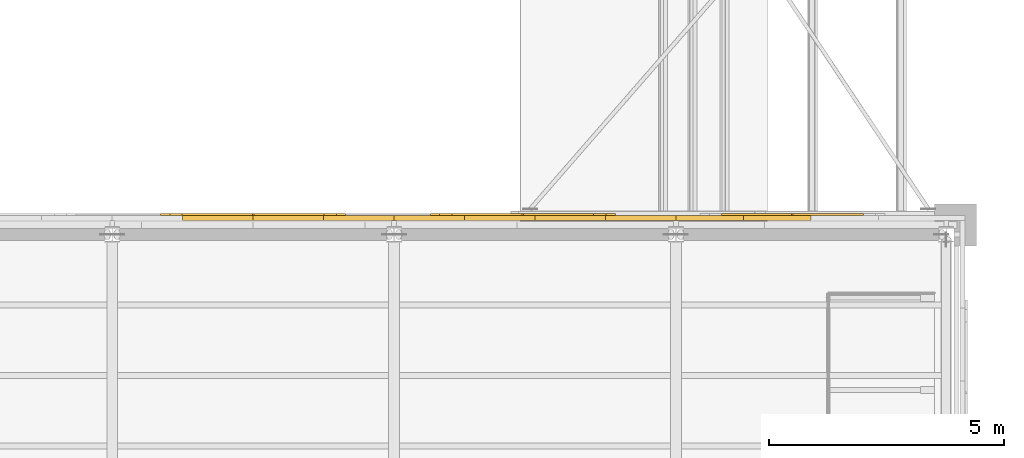
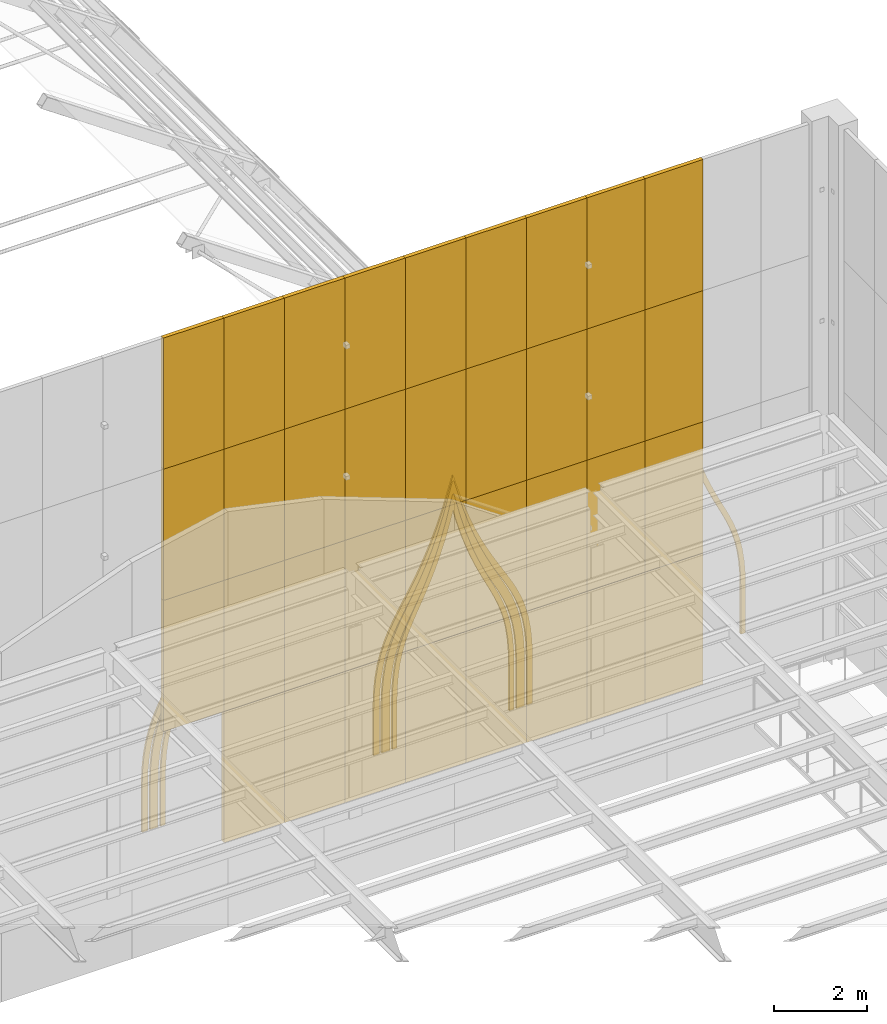
# One storey, part 42 of 43: 42 coverings.
"""IFC4 building model written with IfcOpenShell, lengths in metres."""

from ifc_helpers import new_model, si_unit, direction, frame, origin, origin_2d, place, context, subcontext, project, spatial, polyline, rectangle, outline, extrude, material, layer, layer_set, type_object, element, save


model = new_model("IFC4")

# Units and contexts
model_context = context("Model", 3, precision=1e-05, world=origin(), true_north=direction((0.0, 1.0)))
body_context = subcontext(model_context, "Body", "Model", "MODEL_VIEW")
ifc_project = project(units=[si_unit("LENGTHUNIT", "METRE"), si_unit("AREAUNIT", "SQUARE_METRE"), si_unit("VOLUMEUNIT", "CUBIC_METRE"), si_unit("PLANEANGLEUNIT", "RADIAN"), si_unit("MASSUNIT", "GRAM", prefix="KILO")], contexts=[model_context])

# Site, building, storey
site_placement = place(None, origin())
site = spatial("IfcSite", under=ifc_project, at=site_placement, CompositionType="ELEMENT")
building_placement = place(site_placement, origin())
building = spatial("IfcBuilding", under=site, at=building_placement, Name="Saffron Lane Theatres", CompositionType="ELEMENT")
storey_placement = place(building_placement, frame((0.0, 0.0, 23.0)))
storey = spatial("IfcBuildingStorey", under=building, at=storey_placement, Name="Roof", CompositionType="ELEMENT", Elevation=23.0)

# Coverings
ifc_material_1 = material(Name="Masonry sandstone", Category="masonry")
ifc_layer_1 = layer(ifc_material_1, 0.050048828125)
ifc_layer_set_1 = layer_set([ifc_layer_1], Name="Masonry sandstone")
covering_type_1 = type_object("IfcCoveringType", Name="EX-ARCH FRAME RING SANDSTONE 50", PredefinedType="CLADDING", material=ifc_layer_set_1)
covering_1_placement = place(storey_placement, frame((31.4990234375, 54.64990234375, 2.5810546875), z_axis=(0.0, -1.0, 0.0), x_axis=(-0.023756941085, 0.0, -0.999717764047)))
element("IfcCovering", 1, at=covering_1_placement, inside=storey, type_object=covering_type_1, Name="Tower arch recess ring", PredefinedType="CLADDING", context=body_context, shape_type="SweptSolid", body=[
    extrude(outline(polyline([(0.0, 0.0), (0.38023426890641177, 0.0), (1.5808230582972993, 0.028530369433181012), (1.5779694413505367, 0.14861365554424355), (0.3793332257175527, 0.12012968638661965), (0.0032539760811303733, 0.1199842152524406), (-0.32637530581117835, 0.13828144283302546), (-0.6163538279053677, 0.17339453784549674), (-0.8754217718364463, 0.223162125291944), (-1.1121042476919079, 0.2866489888075911), (-1.3349147654903566, 0.3624317685881858), (-1.550146989634977, 0.4481630182605264), (-1.7663318302477076, 0.5431515931795744), (-1.9907856388862415, 0.6469794205922529), (-2.231510581991929, 0.7572584538842472), (-2.4952710673040963, 0.8708974314542522), (-2.79112674862527, 0.9889021106265061), (-3.1241045314843876, 1.1070014714421268), (-3.503019997964239, 1.2262070712597966), (-3.934846827317219, 1.341957418125338), (-4.195372931259218, 1.4017029459088173), (-3.9379788459173244, 1.4737561467838212), (-3.5121376521112118, 1.6098878146878255), (-3.139312221798232, 1.7469575205949843), (-2.812320074485982, 1.8807401745489096), (-2.522403628436119, 2.012664936388298), (-2.264338776948588, 2.138704387600942), (-2.0291238665653077, 2.2602934880599834), (-1.8098552887202812, 2.374665778093016), (-1.5984264763521552, 2.479816013359072), (-1.3875094778343462, 2.5756741231717535), (-1.168550182907138, 2.661954965297145), (-0.9351505265473425, 2.7366126951531675), (-0.6787389983919088, 2.7986299553466933), (-0.3907556881466753, 2.84747753192407), (-0.062367613625519354, 2.881411652367403), (0.3132940335308889, 2.899130287322713), (1.5119302491638729, 2.927614256480337), (1.5090766322171103, 3.0476975425913997), (0.3084878428262229, 3.0191671731582184), (-0.07131722353128557, 3.0011058658976117), (-0.40652190610176964, 2.9662771293306154), (-0.7025305829261318, 2.9160177930178754), (-0.9679263644363119, 2.8518333577919948), (-1.2093339872719022, 2.775031653041396), (-1.4341046031972635, 2.6866590363314287), (-1.6498508357998292, 2.588488280352214), (-1.8644061802489915, 2.4813100708804736), (-2.0836805581284623, 2.367181852567179), (-2.3179423817705693, 2.246592239124868), (-2.5740488594657522, 2.120355116468043), (-2.8591592715686374, 1.9917192876741407), (-3.182025399783121, 1.859011521184726), (-3.550992082855851, 1.7239871895865848), (-3.9717309706852455, 1.5889536092848697), (-4.6197083107173516, 1.4077370195811822), (-4.618942706170659, 1.3755195525757753), (-3.963088919362733, 1.225286746875351), (-3.536410796262028, 1.110390886165424), (-3.1614468775735407, 0.9930450595545434), (-2.832670514259969, 0.8770437436310055), (-2.5417426676091113, 0.7608756375277622), (-2.2799289560204032, 0.646946187962462), (-2.040203499931446, 0.5376202414116408), (-1.8157554913273564, 0.43403648571870035), (-1.5963513180824758, 0.33717073748952914), (-1.3761854592330949, 0.24935884302844), (-1.1474708198853787, 0.1717626903166131), (-0.9026875770030083, 0.10651465417973567), (-0.6345425791660692, 0.05500909424983662), (-0.33648069014830473, 0.01886704177534876), (0.0, 0.0)])), origin(), (0.0, 0.0, -1.0), 0.050048828125),
])
covering_2_placement = place(storey_placement, frame((31.240966796875, 54.64990234375, 2.60107421875), z_axis=(0.0, -1.0, 0.0), x_axis=(-0.027445423218, 0.0, -0.999623303422)))
element("IfcCovering", 2, at=covering_2_placement, inside=storey, type_object=covering_type_1, Name="Tower arch recess ring", PredefinedType="CLADDING", context=body_context, shape_type="SweptSolid", body=[
    extrude(outline(polyline([(0.0, 0.0), (0.4002972749886543, 0.0), (1.60077262399574, 0.03295996992392853), (1.5952848794607335, 0.23283582087672447), (0.39676191971814384, 0.19992945529501824), (0.005521247248895529, 0.1992011807455482), (-0.3350186515351066, 0.21989201014049903), (-0.6362744592205554, 0.25973462870481856), (-0.9050192333481872, 0.3163449833181706), (-1.1499851212660126, 0.3875294651760587), (-1.3804526725231665, 0.473277502310989), (-1.604171139292633, 0.5711782394315141), (-1.8304143705807694, 0.6809770559120782), (-2.0656912736419164, 0.7995644532009369), (-2.31924889531132, 0.9257096160402862), (-2.596917601211358, 1.0582755367712111), (-2.907850630578386, 1.1926147189230394), (-3.2586775004367463, 1.3300105397891429), (-3.657581955933325, 1.4660863537280224), (-4.111370557322747, 1.5996783509096524), (-4.280569238825531, 1.642169768484506), (-4.113956966834973, 1.6938811329215928), (-3.668182214607782, 1.852171330782141), (-3.2773452126156575, 2.0099301011499358), (-2.9345857962617514, 2.166368864590507), (-2.6315259046586217, 2.3187868556615543), (-2.361515919153593, 2.4651685510955206), (-2.1152618891119763, 2.605036425543775), (-1.8868463418552817, 2.7363548541104272), (-1.666968626206042, 2.8584022627887835), (-1.4489590218832489, 2.968430982337101), (-1.2235436798805455, 3.0666956333809354), (-0.9828527382549475, 3.151214195366617), (-0.7176190485428754, 3.2224853375777642), (-0.4190032547118743, 3.2787978902898818), (-0.08011168945120746, 3.318143030778188), (0.31057953851026243, 3.338883295288744), (1.509102498252852, 3.37178966087045), (1.5036147537178453, 3.571665511823246), (0.3031394047107597, 3.5387055418993176), (-0.0965548214278939, 3.516741162673736), (-0.4495744066850469, 3.4760311960720696), (-0.762047369683361, 3.4173843231571226), (-1.042087621023883, 3.342775863939786), (-1.2967926734187447, 3.2527436486536896), (-1.5340256882681536, 3.1490256491944417), (-1.7609578842547968, 3.0348442310343535), (-1.985662968723055, 2.910710422235945), (-2.215027908440886, 2.778388996865934), (-2.45838015675687, 2.6395777235632614), (-2.724538968075129, 2.4952556260782357), (-3.020357806449731, 2.345967235187266), (-3.3563910690623455, 2.1936208654734655), (-3.7392615723945344, 2.039255845572144), (-4.177280371905962, 1.8831324543449808), (-4.9520084443458074, 1.6437619663494585), (-4.9509095553302505, 1.603737986427287), (-4.164214313489279, 1.4072375711240381), (-3.7182888735000645, 1.2753835458380154), (-3.327525130775644, 1.142259246542275), (-2.983638832027465, 1.0085805890073858), (-2.680074166201742, 0.8757487311786581), (-2.4063973458868078, 0.7462482343180951), (-2.1557951102852595, 0.6209988595976605), (-1.9195152104207531, 0.5014620698476648), (-1.688337401629154, 0.3898448749581602), (-1.455481925826948, 0.28828727939142085), (-1.2129152789264217, 0.19774254703329958), (-0.9536538574426654, 0.12182167483722059), (-0.6699417086599169, 0.06269146943656922), (-0.3547215231227106, 0.02127839254608732), (0.0, 0.0)])), origin(), (0.0, 0.0, -1.0), 0.050048828125),
])
covering_3_placement = place(storey_placement, frame((31.0419921875, 54.64990234375, 2.617919921875), z_axis=(0.0, -1.0, 0.0), x_axis=(-0.028676726094, 0.0, -0.999588738122)))
element("IfcCovering", 3, at=covering_3_placement, inside=storey, type_object=covering_type_1, Name="Tower arch recess ring", PredefinedType="CLADDING", context=body_context, shape_type="SweptSolid", body=[
    extrude(outline(polyline([(0.0, 0.0), (0.41716375104764425, 0.0), (1.6175975896273929, 0.034438675696960006), (1.6135859284819654, 0.1742737213375772), (0.4151044116563614, 0.1398910548712689), (0.005017826967491893, 0.1400940883323813), (-0.35494549711227735, 0.16396102174383417), (-0.671332639580196, 0.2098385826365695), (-0.9552924378304503, 0.274720275522391), (-1.2138740536064891, 0.35742690606311395), (-1.4567760852945528, 0.4554820661320671), (-1.6930000163922352, 0.5676505521604138), (-1.930822210893157, 0.6929622042600804), (-2.177744905210146, 0.8290036246888783), (-2.441974451798508, 0.972364251366053), (-2.733495496186741, 1.1220249163267102), (-3.056888793310287, 1.2759002758939073), (-3.4235612230902626, 1.4314649138641529), (-3.8400458622162548, 1.5865774773298524), (-4.314828109131995, 1.7390406041527604), (-4.631415284566527, 1.825944926497861), (-4.320331016043524, 1.9308562164974814), (-3.8550703383385714, 2.1102877878791797), (-3.448163277654019, 2.289022244372231), (-3.091012417084831, 2.4653523046065917), (-2.776972661480118, 2.637514677981567), (-2.4945111101497965, 2.8036420567538216), (-2.238934989697121, 2.96191514109201), (-2.0002176476706053, 3.111888857645417), (-1.769970701615325, 3.250628722793827), (-1.5405658943494862, 3.3761554103326024), (-1.3036848549564797, 3.487974838834209), (-1.0502700907080593, 3.585369890113339), (-0.7704969824490192, 3.666424248349837), (-0.4572603592052583, 3.730364786127743), (-0.09925735819829837, 3.7748291141113564), (0.31014311341508793, 3.7985420221385167), (1.5086246302406918, 3.8329246886048254), (1.5046129690952643, 3.9727597342454426), (0.30417913051551565, 3.9383210585484822), (-0.11229850745664535, 3.9144051170602094), (-0.47930999311503036, 3.8689496257270277), (-0.8044415767184447, 3.8024696694379667), (-1.094136320121499, 3.718199781263162), (-1.358448880391006, 3.6175611954303997), (-1.6042403882817973, 3.5013340405094713), (-1.839634182568035, 3.3717276806166194), (-2.073485722681685, 3.2309304764065927), (-2.312447104927469, 3.0809497586993544), (-2.5680512299954703, 2.923652835238239), (-2.8454159413364875, 2.758648641573517), (-3.155635067278889, 2.589526769291062), (-3.507717092474098, 2.415296055041307), (-3.9078820420189535, 2.239930153706022), (-4.367097723472856, 2.062625932924255), (-5.082416612246459, 1.8220432834840707), (-5.081898526862931, 1.803984307258232), (-4.353963558885034, 1.6048064815773124), (-3.885338326681647, 1.4541206476627628), (-3.47577782869497, 1.3019845747402674), (-3.114286252750276, 1.148225234293706), (-2.794881612980997, 0.9971663388964227), (-2.50851341781272, 0.8483348105823771), (-2.244311875839684, 0.7059503447822748), (-1.9971451413034267, 0.5699159255073083), (-1.7556063342828319, 0.44275696896096894), (-1.5131973838574695, 0.3278350291471916), (-1.2611188398260256, 0.2249140671653726), (-0.991471400336945, 0.1395940059158483), (-0.6974219392507215, 0.0720708777058996), (-0.36901381565418306, 0.024340011377493066), (0.0, 0.0)])), origin(), (0.0, 0.0, -1.0), 0.050048828125),
])
covering_4_placement = place(storey_placement, frame((37.239013671875, 54.64990234375, 2.5810546875), z_axis=(0.0, -1.0, 0.0), x_axis=(-0.023756941085, 0.0, -0.999717764047)))
element("IfcCovering", 4, at=covering_4_placement, inside=storey, type_object=covering_type_1, Name="Tower arch recess ring", PredefinedType="CLADDING", context=body_context, shape_type="SweptSolid", body=[
    extrude(outline(polyline([(0.0, 0.0), (0.38023426890641177, 0.0), (1.5808230582972993, 0.028530369433181012), (1.5779694413505367, 0.14861365554424355), (0.3793332257175527, 0.12012968638661965), (0.0032539760811303733, 0.1199842152524406), (-0.32637530581117835, 0.13828144283302546), (-0.6163538279053677, 0.17339453784549674), (-0.8754217718364463, 0.223162125291944), (-1.1121042476919079, 0.2866489888075911), (-1.334891565352578, 0.36145548170923414), (-1.5501527896694218, 0.44840708998026435), (-1.7663318302477076, 0.5431515931795744), (-1.9907856388862415, 0.6469794205922529), (-2.231510581991929, 0.7572584538842472), (-2.4952710673040963, 0.8708974314542522), (-2.79112674862527, 0.9889021106265061), (-3.1241045314843876, 1.1070014714421268), (-3.503019997964239, 1.2262070712597966), (-3.934846827317219, 1.341957418125338), (-4.195372931259218, 1.4017029459088173), (-3.9379788459173244, 1.4737561467838212), (-3.5121376521112118, 1.6098878146878255), (-3.139312221798232, 1.7469575205949843), (-2.812320074485982, 1.8807401745489096), (-2.522403628436119, 2.012664936388298), (-2.264338776948588, 2.138704387600942), (-2.0291296665997525, 2.2605375597797215), (-1.8098552887202812, 2.374665778093016), (-1.5984264763521552, 2.479816013359072), (-1.3875094778343462, 2.5756741231717535), (-1.168550182907138, 2.661954965297145), (-0.9351505265473425, 2.7366126951531675), (-0.6787389983919088, 2.7986299553466933), (-0.3907556881466753, 2.84747753192407), (-0.062367613625519354, 2.881411652367403), (0.3132940335308889, 2.899130287322713), (1.5119302491638729, 2.927614256480337), (1.5090766322171103, 3.0476975425913997), (0.3084878428262229, 3.0191671731582184), (-0.07131722353128557, 3.0011058658976117), (-0.40652190610176964, 2.9662771293306154), (-0.7025305829261318, 2.9160177930178754), (-0.9679263644363119, 2.8518333577919948), (-1.2093339872719022, 2.775031653041396), (-1.4341046031972635, 2.6866590363314287), (-1.6498508357998292, 2.588488280352214), (-1.8644061802489915, 2.4813100708804736), (-2.0836805581284623, 2.367181852567179), (-2.3179423817705693, 2.246592239124868), (-2.5740488594657522, 2.120355116468043), (-2.8591360714308585, 1.990743000795189), (-3.182025399783121, 1.859011521184726), (-3.5509978828902957, 1.7242312613063229), (-3.9717367707196902, 1.5891976810046076), (-4.6197083107173516, 1.4077370195811822), (-4.618948506205104, 1.3757636242955131), (-3.963088919362733, 1.225286746875351), (-3.536410796262028, 1.110390886165424), (-3.1614468775735407, 0.9930450595545434), (-2.832641514087746, 0.8758233850323157), (-2.5417426676091113, 0.7608756375277622), (-2.2799289560204032, 0.646946187962462), (-2.040203499931446, 0.5376202414116408), (-1.8157554913273564, 0.43403648571870035), (-1.5963513180824758, 0.33717073748952914), (-1.3761854592330949, 0.24935884302844), (-1.1474708198853787, 0.1717626903166131), (-0.9026875770030083, 0.10651465417973567), (-0.6345425791660692, 0.05500909424983662), (-0.3364864901827494, 0.019111113495086693), (0.0, 0.0)])), origin(), (0.0, 0.0, -1.0), 0.050048828125),
])
covering_5_placement = place(storey_placement, frame((36.98095703125, 54.64990234375, 2.60107421875), z_axis=(0.0, -1.0, 0.0), x_axis=(-0.027445423218, 0.0, -0.999623303422)))
element("IfcCovering", 5, at=covering_5_placement, inside=storey, type_object=covering_type_1, Name="Tower arch recess ring", PredefinedType="CLADDING", context=body_context, shape_type="SweptSolid", body=[
    extrude(outline(polyline([(0.0, 0.0), (0.4002972749886543, 0.0), (1.60077262399574, 0.03295996992392853), (1.5952848794607335, 0.23283582087672447), (0.39676191971814384, 0.19992945529501824), (0.005521247248895529, 0.1992011807455482), (-0.3350186515351066, 0.21989201014049903), (-0.6362744592205554, 0.25973462870481856), (-0.9050192333481872, 0.3163449833181706), (-1.1499851212660126, 0.3875294651760587), (-1.3804526725231665, 0.473277502310989), (-1.604171139292633, 0.5711782394315141), (-1.8304143705807694, 0.6809770559120782), (-2.0656912736419164, 0.7995644532009369), (-2.31924889531132, 0.9257096160402862), (-2.596884098497469, 1.057055293480901), (-2.907850630578386, 1.1926147189230394), (-3.2586775004367463, 1.3300105397891429), (-3.6575886564761024, 1.4663304023860844), (-4.111377257865525, 1.5999223995677143), (-4.280569238825531, 1.642169768484506), (-4.113956966834973, 1.6938811329215928), (-3.668182214607782, 1.852171330782141), (-3.2773452126156575, 2.0099301011499358), (-2.9345857962617514, 2.166368864590507), (-2.6314991024875107, 2.3178106610293066), (-2.361515919153593, 2.4651685510955206), (-2.1152618891119763, 2.605036425543775), (-1.8868463418552817, 2.7363548541104272), (-1.666968626206042, 2.8584022627887835), (-1.4489590218832489, 2.968430982337101), (-1.2235436798805455, 3.0666956333809354), (-0.9828527382549475, 3.151214195366617), (-0.7176190485428754, 3.2224853375777642), (-0.4190032547118743, 3.2787978902898818), (-0.08011168945120746, 3.318143030778188), (0.31057953851026243, 3.338883295288744), (1.509102498252852, 3.37178966087045), (1.5036147537178453, 3.571665511823246), (0.3031394047107597, 3.5387055418993176), (-0.0965548214278939, 3.516741162673736), (-0.4495744066850469, 3.4760311960720696), (-0.762047369683361, 3.4173843231571226), (-1.042087621023883, 3.342775863939786), (-1.2967926734187447, 3.2527436486536896), (-1.5340256882681536, 3.1490256491944417), (-1.7609578842547968, 3.0348442310343535), (-1.985662968723055, 2.910710422235945), (-2.215027908440886, 2.778388996865934), (-2.45838015675687, 2.6395777235632614), (-2.724538968075129, 2.4952556260782357), (-3.020357806449731, 2.345967235187266), (-3.3563977696051235, 2.1938649141315274), (-3.7392615723945344, 2.039255845572144), (-4.177280371905962, 1.8831324543449808), (-4.9520084443458074, 1.6437619663494585), (-4.9509095553302505, 1.603737986427287), (-4.164214313489279, 1.4072375711240381), (-3.7182888735000645, 1.2753835458380154), (-3.327525130775644, 1.142259246542275), (-2.983638832027465, 1.0085805890073858), (-2.680074166201742, 0.8757487311786581), (-2.4063973458868078, 0.7462482343180951), (-2.155768308114148, 0.6200226649654124), (-1.9195152104207531, 0.5014620698476648), (-1.688337401629154, 0.3898448749581602), (-1.455481925826948, 0.28828727939142085), (-1.2129152789264217, 0.19774254703329958), (-0.9536538574426654, 0.12182167483722059), (-0.6699417086599169, 0.06269146943656922), (-0.3547215231227106, 0.02127839254608732), (0.0, 0.0)])), origin(), (0.0, 0.0, -1.0), 0.050048828125),
])
covering_6_placement = place(storey_placement, frame((36.781982421875, 54.64990234375, 2.617919921875), z_axis=(0.0, -1.0, 0.0), x_axis=(-0.028676726094, 0.0, -0.999588738122)))
element("IfcCovering", 6, at=covering_6_placement, inside=storey, type_object=covering_type_1, Name="Tower arch recess ring", PredefinedType="CLADDING", context=body_context, shape_type="SweptSolid", body=[
    extrude(outline(polyline([(0.0, 0.0), (0.41716375104764425, 0.0), (1.6175975896273929, 0.034438675696960006), (1.6135859284819654, 0.1742737213375772), (0.4151044116563614, 0.1398910548712689), (0.005010825813660432, 0.14033812855164937), (-0.35494549711227735, 0.16396102174383417), (-0.671332639580196, 0.2098385826365695), (-0.9552924378304503, 0.274720275522391), (-1.2138740536064891, 0.35742690606311395), (-1.4567760852945528, 0.4554820661320671), (-1.6930000163922352, 0.5676505521604138), (-1.930822210893157, 0.6929622042600804), (-2.177744905210146, 0.8290036246888783), (-2.441974451798508, 0.972364251366053), (-2.733495496186741, 1.1220249163267102), (-3.056888793310287, 1.2759002758939073), (-3.4235612230902626, 1.4314649138641529), (-3.8400458622162548, 1.5865774773298524), (-4.314828109131995, 1.7390406041527604), (-4.631415284566527, 1.825944926497861), (-4.320331016043524, 1.9308562164974814), (-3.8550703383385714, 2.1102877878791797), (-3.448135273038693, 2.288046083495159), (-3.0909844124695054, 2.4643761437295195), (-2.776972661480118, 2.637514677981567), (-2.4945111101497965, 2.8036420567538216), (-2.238934989697121, 2.96191514109201), (-2.0002176476706053, 3.111888857645417), (-1.769970701615325, 3.250628722793827), (-1.5405658943494862, 3.3761554103326024), (-1.3036848549564797, 3.487974838834209), (-1.0502700907080593, 3.585369890113339), (-0.7704969824490192, 3.666424248349837), (-0.4572603592052583, 3.730364786127743), (-0.09925735819829837, 3.7748291141113564), (0.31014311341508793, 3.7985420221385167), (1.5086246302406918, 3.8329246886048254), (1.5046129690952643, 3.9727597342454426), (0.30417913051551565, 3.9383210585484822), (-0.11229850745664535, 3.9144051170602094), (-0.47930999311503036, 3.8689496257270277), (-0.8044415767184447, 3.8024696694379667), (-1.094136320121499, 3.718199781263162), (-1.358448880391006, 3.6175611954303997), (-1.6042123836664715, 3.5003578796323986), (-1.839634182568035, 3.3717276806166194), (-2.073485722681685, 3.2309304764065927), (-2.312447104927469, 3.0809497586993544), (-2.5680512299954703, 2.923652835238239), (-2.8454159413364875, 2.758648641573517), (-3.155635067278889, 2.589526769291062), (-3.5077240936279295, 2.415540095260575), (-3.9078820420189535, 2.239930153706022), (-4.367097723472856, 2.062625932924255), (-5.082416612246459, 1.8220432834840707), (-5.081898526862931, 1.803984307258232), (-4.353963558885034, 1.6048064815773124), (-3.885338326681647, 1.4541206476627628), (-3.47577782869497, 1.3019845747402674), (-3.114286252750276, 1.148225234293706), (-2.794881612980997, 0.9971663388964227), (-2.50851341781272, 0.8483348105823771), (-2.244311875839684, 0.7059503447822748), (-1.9971451413034267, 0.5699159255073083), (-1.7556063342828319, 0.44275696896096894), (-1.5131693792421437, 0.3268588682701192), (-1.2611188398260256, 0.2249140671653726), (-0.991471400336945, 0.1395940059158483), (-0.6974219392507215, 0.0720708777058996), (-0.36901381565418306, 0.024340011377493066), (0.0, 0.0)])), origin(), (0.0, 0.0, -1.0), 0.050048828125),
])
covering_7_placement = place(storey_placement, frame((42.97900390625, 54.64990234375, 2.5810546875), z_axis=(0.0, -1.0, 0.0), x_axis=(-0.023756941085, 0.0, -0.999717764047)))
element("IfcCovering", 7, at=covering_7_placement, inside=storey, type_object=covering_type_1, Name="Tower arch recess ring", PredefinedType="CLADDING", context=body_context, shape_type="SweptSolid", body=[
    extrude(outline(polyline([(0.0, 0.0), (0.38023426890641177, 0.0), (1.5808230582972993, 0.028530369433181012), (1.5779694413505367, 0.14861365554424355), (0.3793332257175527, 0.12012968638661965), (0.003248176046685734, 0.12022828697217852), (-0.32637530581117835, 0.13828144283302546), (-0.6163538279053677, 0.17339453784549674), (-0.8754217718364463, 0.223162125291944), (-1.1121042476919079, 0.2866489888075911), (-1.334891565352578, 0.36145548170923414), (-1.5501527896694218, 0.44840708998026435), (-1.7663318302477076, 0.5431515931795744), (-1.9907856388862415, 0.6469794205922529), (-2.231510581991929, 0.7572584538842472), (-2.4952710673040963, 0.8708974314542522), (-2.79112674862527, 0.9889021106265061), (-3.1241045314843876, 1.1070014714421268), (-3.503019997964239, 1.2262070712597966), (-3.934846827317219, 1.341957418125338), (-4.195372931259218, 1.4017029459088173), (-3.9379788459173244, 1.4737561467838212), (-3.5121434521456565, 1.6101318864075636), (-3.139312221798232, 1.7469575205949843), (-2.812320074485982, 1.8807401745489096), (-2.522403628436119, 2.012664936388298), (-2.264338776948588, 2.138704387600942), (-2.0291296665997525, 2.2605375597797215), (-1.8098552887202812, 2.374665778093016), (-1.5984264763521552, 2.479816013359072), (-1.3875094778343462, 2.5756741231717535), (-1.168550182907138, 2.661954965297145), (-0.9351505265473425, 2.7366126951531675), (-0.6787389983919088, 2.7986299553466933), (-0.3907556881466753, 2.84747753192407), (-0.062367613625519354, 2.881411652367403), (0.3132882334964443, 2.899374359042451), (1.5119244491294284, 2.927858328200075), (1.5090766322171103, 3.0476975425913997), (0.3084878428262229, 3.0191671731582184), (-0.07131722353128557, 3.0011058658976117), (-0.40652190610176964, 2.9662771293306154), (-0.7025305829261318, 2.9160177930178754), (-0.9679263644363119, 2.8518333577919948), (-1.2093339872719022, 2.775031653041396), (-1.4341046031972635, 2.6866590363314287), (-1.6498508357998292, 2.588488280352214), (-1.8644061802489915, 2.4813100708804736), (-2.0836805581284623, 2.367181852567179), (-2.3179423817705693, 2.246592239124868), (-2.5740488594657522, 2.120355116468043), (-2.8591360714308585, 1.990743000795189), (-3.182025399783121, 1.859011521184726), (-3.5509978828902957, 1.7242312613063229), (-3.9717367707196902, 1.5891976810046076), (-4.6197083107173516, 1.4077370195811822), (-4.618948506205104, 1.3757636242955131), (-3.963088919362733, 1.225286746875351), (-3.536410796262028, 1.110390886165424), (-3.161452677607985, 0.9932891312742814), (-2.8326473141221906, 0.8760674567520537), (-2.5417426676091113, 0.7608756375277622), (-2.2799289560204032, 0.646946187962462), (-2.040203499931446, 0.5376202414116408), (-1.8157554913273564, 0.43403648571870035), (-1.5963513180824758, 0.33717073748952914), (-1.3761854592330949, 0.24935884302844), (-1.1474708198853787, 0.1717626903166131), (-0.9026875770030083, 0.10651465417973567), (-0.6345425791660692, 0.05500909424983662), (-0.3364864901827494, 0.019111113495086693), (0.0, 0.0)])), origin(), (0.0, 0.0, -1.0), 0.050048828125),
])
ifc_material_2 = material(Name="Masonry perforated pale clay brick", Category="masonry")
ifc_layer_2 = layer(ifc_material_2, 0.10009765625)
ifc_layer_set_2 = layer_set([ifc_layer_2], Name="Masonry perforated pale clay brick")
covering_type_2 = type_object("IfcCoveringType", Name="EX-CLADDING PANEL PERFORATED BRICK 100", PredefinedType="CLADDING", material=ifc_layer_set_2)
for number, where, z_axis, x_axis, name in (
    (8, (32.25, 54.60009765625, 3.53759765625), (0.0, 0.0, 1.0), (1.0, 0.0, 0.0), "Tower panel N118"),
    (9, (32.25, 54.60009765625, 6.97509765625), (0.0, 0.0, 1.0), (1.0, 0.0, 0.0), "Tower panel N119"),
    (10, (32.25, 54.60009765625, 10.41259765625), (0.0, 0.0, 1.0), (1.0, 0.0, 0.0), "Tower panel N120"),
    (11, (33.75, 54.60009765625, 0.10009765625), (0.0, 0.0, 1.0), (1.0, 0.0, 0.0), "Tower panel N121"),
    (12, (33.75, 54.60009765625, 3.53759765625), (0.0, 0.0, 1.0), (1.0, 0.0, 0.0), "Tower panel N122"),
    (13, (33.75, 54.60009765625, 6.97509765625), (0.0, 0.0, 1.0), (1.0, 0.0, 0.0), "Tower panel N123"),
    (14, (33.75, 54.60009765625, 10.41259765625), (0.0, 0.0, 1.0), (1.0, 0.0, 0.0), "Tower panel N124"),
    (15, (35.25, 54.60009765625, 0.10009765625), (0.0, 0.0, 1.0), (1.0, 0.0, 0.0), "Tower panel N125"),
    (16, (35.25, 54.60009765625, 3.53759765625), (0.0, 0.0, 1.0), (1.0, 0.0, 0.0), "Tower panel N126"),
    (17, (35.25, 54.60009765625, 6.97509765625), (0.0, 0.0, 1.0), (1.0, 0.0, 0.0), "Tower panel N127"),
    (18, (35.25, 54.60009765625, 10.41259765625), (0.0, 0.0, 1.0), (1.0, 0.0, 0.0), "Tower panel N128"),
    (19, (36.75, 54.60009765625, 0.10009765625), (0.0, 0.0, 1.0), (1.0, 0.0, 0.0), "Tower panel N129"),
    (20, (36.75, 54.60009765625, 3.53759765625), (0.0, 0.0, 1.0), (1.0, 0.0, 0.0), "Tower panel N130"),
    (21, (36.75, 54.60009765625, 6.97509765625), (0.0, 0.0, 1.0), (1.0, 0.0, 0.0), "Tower panel N131"),
    (22, (36.75, 54.60009765625, 10.41259765625), (0.0, 0.0, 1.0), (1.0, 0.0, 0.0), "Tower panel N132"),
    (23, (38.25, 54.60009765625, 0.10009765625), (0.0, 0.0, 1.0), (1.0, 0.0, 0.0), "Tower panel N133"),
    (24, (38.25, 54.60009765625, 3.53759765625), (0.0, 0.0, 1.0), (1.0, 0.0, 0.0), "Tower panel N134"),
    (25, (38.25, 54.60009765625, 6.97509765625), (0.0, 0.0, 1.0), (1.0, 0.0, 0.0), "Tower panel N135"),
    (26, (38.25, 54.60009765625, 10.41259765625), (0.0, 0.0, 1.0), (1.0, 0.0, 0.0), "Tower panel N136"),
    (27, (39.75, 54.60009765625, 0.10009765625), (0.0, 0.0, 1.0), (1.0, 0.0, 0.0), "Tower panel N137"),
    (28, (39.75, 54.60009765625, 3.53759765625), (0.0, 0.0, 1.0), (1.0, 0.0, 0.0), "Tower panel N138"),
    (29, (39.75, 54.60009765625, 6.97509765625), (0.0, 0.0, 1.0), (1.0, 0.0, 0.0), "Tower panel N139"),
    (30, (39.75, 54.60009765625, 10.41259765625), (0.0, 0.0, 1.0), (1.0, 0.0, 0.0), "Tower panel N140"),
    (31, (41.25, 54.60009765625, 0.10009765625), (0.0, 0.0, 1.0), (1.0, 0.0, 0.0), "Tower panel N141"),
    (32, (41.25, 54.60009765625, 3.53759765625), (0.0, 0.0, 1.0), (1.0, 0.0, 0.0), "Tower panel N142"),
    (33, (41.25, 54.60009765625, 6.97509765625), (0.0, 0.0, 1.0), (1.0, 0.0, 0.0), "Tower panel N143"),
    (34, (41.25, 54.60009765625, 10.41259765625), (0.0, 0.0, 1.0), (1.0, 0.0, 0.0), "Tower panel N144"),
):
    element("IfcCovering", number, at=place(storey_placement, frame(where, z_axis=z_axis, x_axis=x_axis)), inside=storey, type_object=covering_type_2, Name=name, PredefinedType="CLADDING", context=body_context, shape_type="SweptSolid", body=[
        extrude(rectangle(XDim=1.5, YDim=0.10009765625, at=origin_2d()), origin(), (0.0, 0.0, 1.0), 3.4375),
    ])
for number, where, z_axis, x_axis, name in (
    (35, (42.71875, 54.60009765625, 0.10009765625), (0.0, 0.0, 1.0), (1.0, 0.0, 0.0), "Tower panel N145"),
    (36, (42.71875, 54.60009765625, 3.53759765625), (0.0, 0.0, 1.0), (1.0, 0.0, 0.0), "Tower panel N146"),
    (37, (42.71875, 54.60009765625, 6.97509765625), (0.0, 0.0, 1.0), (1.0, 0.0, 0.0), "Tower panel N147"),
    (38, (42.71875, 54.60009765625, 10.41259765625), (0.0, 0.0, 1.0), (1.0, 0.0, 0.0), "Tower panel N148"),
    (39, (44.15625, 54.60009765625, 0.10009765625), (0.0, 0.0, 1.0), (1.0, 0.0, 0.0), "Tower panel N149"),
    (40, (44.15625, 54.60009765625, 3.53759765625), (0.0, 0.0, 1.0), (1.0, 0.0, 0.0), "Tower panel N150"),
    (41, (44.15625, 54.60009765625, 6.97509765625), (0.0, 0.0, 1.0), (1.0, 0.0, 0.0), "Tower panel N151"),
    (42, (44.15625, 54.60009765625, 10.41259765625), (0.0, 0.0, 1.0), (1.0, 0.0, 0.0), "Tower panel N152"),
):
    element("IfcCovering", number, at=place(storey_placement, frame(where, z_axis=z_axis, x_axis=x_axis)), inside=storey, type_object=covering_type_2, Name=name, PredefinedType="CLADDING", context=body_context, shape_type="SweptSolid", body=[
        extrude(rectangle(XDim=1.4375, YDim=0.10009765625, at=origin_2d()), origin(), (0.0, 0.0, 1.0), 3.4375),
    ])

save(model, "model.ifc")
